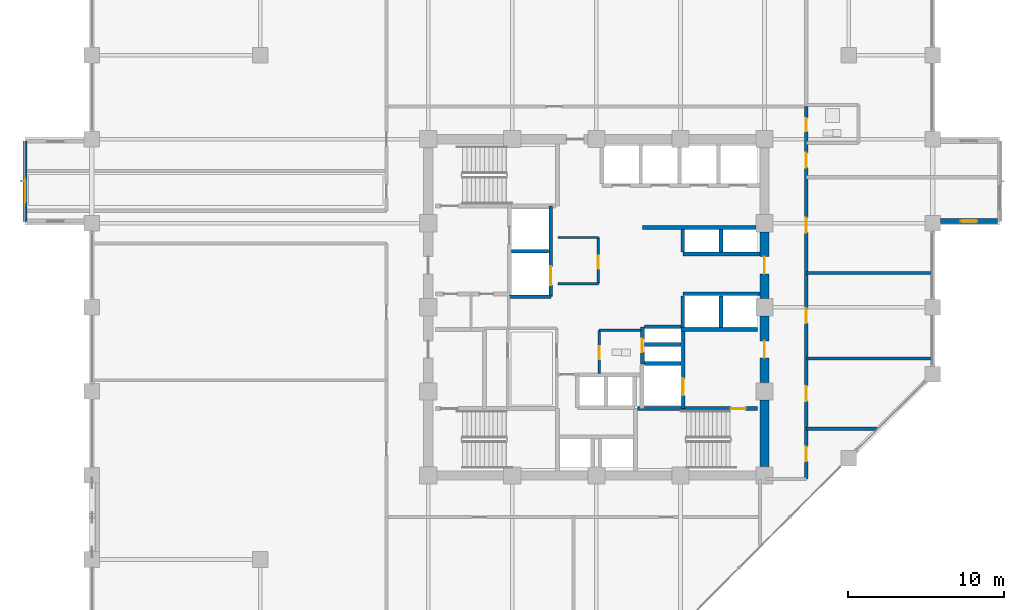
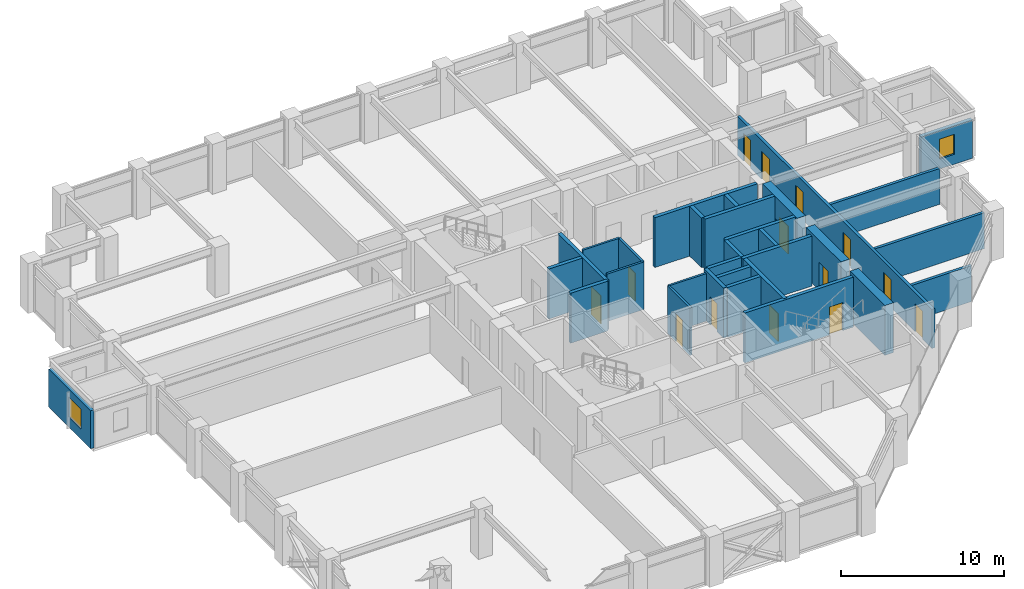
# One storey, part 23 of 29: 31 walls, 14 doors, 2 windows, 16 openings.
"""IFC4 building model written with IfcOpenShell, lengths in metres."""

from ifc_helpers import new_model, si_unit, direction, frame, frame_2d, origin, place, context, subcontext, project, spatial, rectangle, extrude, material, layer, layer_set, type_object, element, fill, save


model = new_model("IFC4")

# Units and contexts
model_context = context("Model", 3, precision=1e-05, world=origin(), true_north=direction((0.0, 1.0)))
body_context = subcontext(model_context, "Body", "Model", "MODEL_VIEW")
ifc_project = project(units=[si_unit("LENGTHUNIT", "METRE"), si_unit("AREAUNIT", "SQUARE_METRE"), si_unit("VOLUMEUNIT", "CUBIC_METRE"), si_unit("PLANEANGLEUNIT", "RADIAN"), si_unit("MASSUNIT", "GRAM", prefix="KILO")], contexts=[model_context])

# Site, building, storey
site_placement = place(None, origin())
site = spatial("IfcSite", under=ifc_project, at=site_placement, CompositionType="ELEMENT")
building_placement = place(site_placement, origin())
building = spatial("IfcBuilding", under=site, at=building_placement, Name="Surkhivell Harbour Commons", CompositionType="ELEMENT")
storey_placement = place(building_placement, frame((0.0, 0.0, 154.5)))
storey = spatial("IfcBuildingStorey", under=building, at=storey_placement, Name="L40", CompositionType="ELEMENT", Elevation=154.5)

# Wall
ifc_material_1 = material(Name="Concrete C60/75", Category="concrete")
ifc_layer_1 = layer(ifc_material_1, 0.60009765625)
ifc_layer_set_1 = layer_set([ifc_layer_1], Name="Concrete C60/75")
wall_type_1 = type_object("IfcWallType", Name="WAL-CORE-600", PredefinedType="SHEAR", material=ifc_layer_set_1)
wall_1_placement = place(storey_placement, frame((10.800048828125, -10.239990234375, 0.0), z_axis=(0.0, 0.0, 1.0), x_axis=(0.0, 1.0, 0.0)))
element("IfcWall", 1, at=wall_1_placement, inside=storey, type_object=wall_type_1, Name="L40 Core Shear Wall East 1", PredefinedType="SHEAR", context=body_context, shape_type="SweptSolid", body=[
    extrude(rectangle(XDim=4.280029296875, YDim=0.60009765625, at=frame_2d((2.14013671875, 0.0))), origin(), (0.0, 0.0, 1.0), 3.75),
])

# Wall, opening, door
wall_2_placement = place(storey_placement, frame((10.800048828125, -4.840087890625, 0.0), z_axis=(0.0, 0.0, 1.0), x_axis=(0.0, 1.0, 0.0)))
wall_2 = element("IfcWall", 2, at=wall_2_placement, inside=storey, type_object=wall_type_1, Name="L40 Core Shear Wall East 2", PredefinedType="SHEAR", context=body_context, shape_type="SweptSolid", body=[
    extrude(rectangle(XDim=4.280029296875, YDim=0.60009765625, at=frame_2d((2.14013671875, 0.0))), origin(), (0.0, 0.0, 1.0), 3.75),
])
opening_1_placement = place(wall_2_placement, frame((1.590087890625, 0.0, 0.0)))
opening_1 = element("IfcOpeningElement", 3, at=opening_1_placement, cuts=wall_2, Name="Opening ID-1", PredefinedType="OPENING", context=body_context, shape_type="SweptSolid", body=[
    extrude(rectangle(XDim=1.10009765625, YDim=2.10009765625, at=frame_2d((0.550048828125, 1.050048828125))), frame((0.0, 0.31005859375, 0.0), z_axis=(0.0, -1.0, 0.0), x_axis=(1.0, 0.0, 0.0)), (0.0, 0.0, 1.0), 0.6201171875),
])
ifc_material_2 = material(Name="Hardwood-veneered fire-rated door leaf", Category="wood")
door_type_1 = type_object("IfcDoorType", Name="DOR-FD120-1100", OperationType="NOTDEFINED", PredefinedType="DOOR", material=ifc_material_2)
door_1_placement = place(opening_1_placement, origin())
door_1 = element("IfcDoor", 4, at=door_1_placement, inside=storey, type_object=door_type_1, Name="L40 Firefighting Lobby 2 Corridor Door", OperationType="SINGLE_SWING_RIGHT", OverallHeight=2.10009765625, OverallWidth=1.10009765625, PredefinedType="DOOR", context=body_context, shape_type="SweptSolid", body=[
    extrude(rectangle(XDim=1.10009765625, YDim=2.10009765625, at=frame_2d((0.550048828125, 1.050048828125))), frame((0.0, 0.02490234375, 0.0), z_axis=(0.0, -1.0, 0.0), x_axis=(1.0, 0.0, 0.0)), (0.0, 0.0, 1.0), 0.050048828125),
])
fill(opening_1, door_1)

wall_3_placement = place(storey_placement, frame((10.800048828125, 0.56005859375, 0.0), z_axis=(0.0, 0.0, 1.0), x_axis=(0.0, 1.0, 0.0)))
wall_3 = element("IfcWall", 5, at=wall_3_placement, inside=storey, type_object=wall_type_1, Name="L40 Core Shear Wall East 3", PredefinedType="SHEAR", context=body_context, shape_type="SweptSolid", body=[
    extrude(rectangle(XDim=4.280029296875, YDim=0.60009765625, at=frame_2d((2.14013671875, 0.0))), origin(), (0.0, 0.0, 1.0), 3.75),
])
opening_2_placement = place(wall_3_placement, frame((1.590087890625, 0.0, 0.0)))
opening_2 = element("IfcOpeningElement", 6, at=opening_2_placement, cuts=wall_3, Name="Opening ID-2", PredefinedType="OPENING", context=body_context, shape_type="SweptSolid", body=[
    extrude(rectangle(XDim=1.10009765625, YDim=2.10009765625, at=frame_2d((0.550048828125, 1.050048828125))), frame((0.0, 0.31005859375, 0.0), z_axis=(0.0, -1.0, 0.0), x_axis=(1.0, 0.0, 0.0)), (0.0, 0.0, 1.0), 0.6201171875),
])
door_type_2 = type_object("IfcDoorType", Name="DOR-FD60-1100", OperationType="NOTDEFINED", PredefinedType="DOOR", material=ifc_material_2)
door_2_placement = place(opening_2_placement, origin())
door_2 = element("IfcDoor", 7, at=door_2_placement, inside=storey, type_object=door_type_2, Name="L40 Mid-Rise Lobby East Door", OperationType="SINGLE_SWING_LEFT", OverallHeight=2.10009765625, OverallWidth=1.10009765625, PredefinedType="DOOR", context=body_context, shape_type="SweptSolid", body=[
    extrude(rectangle(XDim=1.10009765625, YDim=2.10009765625, at=frame_2d((0.550048828125, 1.050048828125))), frame((0.0, 0.02490234375, 0.0), z_axis=(0.0, -1.0, 0.0), x_axis=(1.0, 0.0, 0.0)), (0.0, 0.0, 1.0), 0.050048828125),
])
fill(opening_2, door_2)

# Wall, opening, window
ifc_material_3 = material(Name="Flemish-bond kiln brick and precast concrete C45/55", Category="masonry")
ifc_layer_2 = layer(ifc_material_3, 0.300048828125)
ifc_layer_set_2 = layer_set([ifc_layer_2], Name="Flemish-bond kiln brick and precast concrete C45/55")
wall_type_2 = type_object("IfcWallType", Name="WAL-EXT-BRK300", PredefinedType="STANDARD", material=ifc_layer_set_2)
wall_4_placement = place(storey_placement, frame((22.10400390625, 5.5400390625, 0.0), z_axis=(0.0, 0.0, 1.0), x_axis=(1.0, 0.0, 0.0)))
wall_4 = element("IfcWall", 8, at=wall_4_placement, inside=storey, type_object=wall_type_2, Name="L40 Coloured Box Return Wall 01S", PredefinedType="STANDARD", context=body_context, shape_type="SweptSolid", body=[
    extrude(rectangle(XDim=3.656005859375, YDim=0.300048828125, at=frame_2d((1.828125, 0.0))), origin(), (0.0, 0.0, 1.0), 2.85693359375),
])
opening_3_placement = place(wall_4_placement, frame((1.302978515625, 0.0, 0.75)))
opening_3 = element("IfcOpeningElement", 9, at=opening_3_placement, cuts=wall_4, Name="Opening WN-11", PredefinedType="OPENING", context=body_context, shape_type="SweptSolid", body=[
    extrude(rectangle(XDim=1.050048828125, YDim=1.5, at=frame_2d((0.52490234375, 0.75))), frame((0.0, 0.159912109375, 0.0), z_axis=(0.0, -1.0, 0.0), x_axis=(1.0, 0.0, 0.0)), (0.0, 0.0, 1.0), 0.320068359375),
])
ifc_material_4 = material(Name="Thermal-break aluminium frame and double low-E glazing", Category="aluminium")
window_type_1 = type_object("IfcWindowType", Name="WIN-SER-1050x1500", PartitioningType="SINGLE_PANEL", PredefinedType="WINDOW", material=ifc_material_4)
window_1_placement = place(opening_3_placement, origin())
window_1 = element("IfcWindow", 10, at=window_1_placement, inside=storey, type_object=window_type_1, Name="L40 Coloured Box Return Window 01S", OverallHeight=1.5, OverallWidth=1.050048828125, PartitioningType="SINGLE_PANEL", PredefinedType="WINDOW", context=body_context, shape_type="SweptSolid", body=[
    extrude(rectangle(XDim=1.050048828125, YDim=1.5, at=frame_2d((0.52490234375, 0.75))), frame((0.0, 0.030029296875, 0.0), z_axis=(0.0, -1.0, 0.0), x_axis=(1.0, 0.0, 0.0)), (0.0, 0.0, 1.0), 0.06005859375),
])
fill(opening_3, window_1)

ifc_material_5 = material(Name="Bronze-ochre cassette precast concrete C45/55", Category="concrete")
ifc_layer_3 = layer(ifc_material_5, 0.239990234375)
ifc_layer_set_3 = layer_set([ifc_layer_3], Name="Bronze-ochre cassette precast concrete C45/55")
wall_type_3 = type_object("IfcWallType", Name="WAL-EXT-OCH240", PredefinedType="STANDARD", material=ifc_layer_set_3)
wall_5_placement = place(storey_placement, frame((-36.699951171875, 10.679931640625, 0.0), z_axis=(0.0, 0.0, 1.0), x_axis=(0.0, -1.0, 0.0)))
wall_5 = element("IfcWall", 11, at=wall_5_placement, inside=storey, type_object=wall_type_3, Name="L40 Coloured Box Front Wall 02", PredefinedType="STANDARD", context=body_context, shape_type="SweptSolid", body=[
    extrude(rectangle(XDim=5.159912109375, YDim=0.239990234375, at=frame_2d((2.580078125, 0.0))), origin(), (0.0, 0.0, 1.0), 2.85693359375),
])
opening_4_placement = place(wall_5_placement, frame((2.455078125, 0.0, 0.75)))
opening_4 = element("IfcOpeningElement", 12, at=opening_4_placement, cuts=wall_5, Name="Opening WN-13", PredefinedType="OPENING", context=body_context, shape_type="SweptSolid", body=[
    extrude(rectangle(XDim=1.5, YDim=1.5, at=frame_2d((0.75, 0.75))), frame((0.0, 0.1298828125, 0.0), z_axis=(0.0, -1.0, 0.0), x_axis=(1.0, 0.0, 0.0)), (0.0, 0.0, 1.0), 0.260009765625),
])
window_type_2 = type_object("IfcWindowType", Name="WIN-BOX-1500x1500", PartitioningType="SINGLE_PANEL", PredefinedType="WINDOW", material=ifc_material_4)
window_2_placement = place(opening_4_placement, origin())
window_2 = element("IfcWindow", 13, at=window_2_placement, inside=storey, type_object=window_type_2, Name="L40 Coloured Box Square Window 02-1", OverallHeight=1.5, OverallWidth=1.5, PartitioningType="SINGLE_PANEL", PredefinedType="WINDOW", context=body_context, shape_type="SweptSolid", body=[
    extrude(rectangle(XDim=1.5, YDim=1.5, at=frame_2d((0.75, 0.75))), frame((0.0, 0.030029296875, 0.0), z_axis=(0.0, -1.0, 0.0), x_axis=(1.0, 0.0, 0.0)), (0.0, 0.0, 1.0), 0.06005859375),
])
fill(opening_4, window_2)

# Wall
ifc_material_6 = material(Name="Twin-stud acoustic fireboard partition", Category="other")
ifc_layer_4 = layer(ifc_material_6, 0.14990234375)
ifc_layer_set_4 = layer_set([ifc_layer_4], Name="Twin-stud acoustic fireboard partition")
wall_type_4 = type_object("IfcWallType", Name="WAL-INT-150", PredefinedType="PARTITIONING", material=ifc_layer_set_4)
wall_6_placement = place(storey_placement, frame((0.179931640625, -1.47998046875, 0.0), z_axis=(0.0, 0.0, 1.0), x_axis=(1.0, 0.0, 0.0)))
element("IfcWall", 14, at=wall_6_placement, inside=storey, type_object=wall_type_4, Name="L40 Core Accessible WC North Wall", PredefinedType="PARTITIONING", context=body_context, shape_type="SweptSolid", body=[
    extrude(rectangle(XDim=2.670166015625, YDim=0.14990234375, at=frame_2d((1.3349609375, 0.0))), origin(), (0.0, 0.0, 1.0), 3.570068359375),
])

# Wall, opening, door
wall_7_placement = place(storey_placement, frame((0.179931640625, -4.25, 0.0), z_axis=(0.0, 0.0, 1.0), x_axis=(0.0, 1.0, 0.0)))
wall_7 = element("IfcWall", 15, at=wall_7_placement, inside=storey, type_object=wall_type_4, Name="L40 Core Accessible WC West Wall", PredefinedType="PARTITIONING", context=body_context, shape_type="SweptSolid", body=[
    extrude(rectangle(XDim=2.77001953125, YDim=0.14990234375, at=frame_2d((1.385009765625, 0.0))), origin(), (0.0, 0.0, 1.0), 3.570068359375),
])
opening_5_placement = place(wall_7_placement, frame((0.89990234375, 0.0, 0.0)))
opening_5 = element("IfcOpeningElement", 16, at=opening_5_placement, cuts=wall_7, Name="Opening ID-6", PredefinedType="OPENING", context=body_context, shape_type="SweptSolid", body=[
    extrude(rectangle(XDim=0.85009765625, YDim=2.10009765625, at=frame_2d((0.425048828125, 1.050048828125))), frame((0.0, 0.0849609375, 0.0), z_axis=(0.0, -1.0, 0.0), x_axis=(1.0, 0.0, 0.0)), (0.0, 0.0, 1.0), 0.169921875),
])
door_type_3 = type_object("IfcDoorType", Name="DOR-FD30-850", OperationType="NOTDEFINED", PredefinedType="DOOR", material=ifc_material_2)
door_3_placement = place(opening_5_placement, origin())
door_3 = element("IfcDoor", 17, at=door_3_placement, inside=storey, type_object=door_type_3, Name="L40 Floor Accessible WC Door", OperationType="SINGLE_SWING_LEFT", OverallHeight=2.10009765625, OverallWidth=0.85009765625, PredefinedType="DOOR", context=body_context, shape_type="SweptSolid", body=[
    extrude(rectangle(XDim=0.85009765625, YDim=2.10009765625, at=frame_2d((0.425048828125, 1.050048828125))), frame((0.0, 0.02490234375, 0.0), z_axis=(0.0, -1.0, 0.0), x_axis=(1.0, 0.0, 0.0)), (0.0, 0.0, 1.0), 0.050048828125),
])
fill(opening_5, door_3)

wall_8_placement = place(storey_placement, frame((0.1201171875, 1.52001953125, 0.0), z_axis=(0.0, 0.0, 1.0), x_axis=(0.0, 1.0, 0.0)))
wall_8 = element("IfcWall", 18, at=wall_8_placement, inside=storey, type_object=wall_type_4, Name="L40 Central Reading East Wall", PredefinedType="PARTITIONING", context=body_context, shape_type="SweptSolid", body=[
    extrude(rectangle(XDim=2.9599609375, YDim=0.14990234375, at=frame_2d((1.47998046875, 0.0))), origin(), (0.0, 0.0, 1.0), 3.570068359375),
])
opening_6_placement = place(wall_8_placement, frame((0.949951171875, 0.0, 0.0)))
opening_6 = element("IfcOpeningElement", 19, at=opening_6_placement, cuts=wall_8, Name="Opening ID-6", PredefinedType="OPENING", context=body_context, shape_type="SweptSolid", body=[
    extrude(rectangle(XDim=0.85009765625, YDim=2.10009765625, at=frame_2d((0.425048828125, 1.050048828125))), frame((0.0, 0.0849609375, 0.0), z_axis=(0.0, -1.0, 0.0), x_axis=(1.0, 0.0, 0.0)), (0.0, 0.0, 1.0), 0.169921875),
])
door_4_placement = place(opening_6_placement, origin())
door_4 = element("IfcDoor", 20, at=door_4_placement, inside=storey, type_object=door_type_3, Name="L40 Central Core Reading Door", OperationType="SINGLE_SWING_RIGHT", OverallHeight=2.10009765625, OverallWidth=0.85009765625, PredefinedType="DOOR", context=body_context, shape_type="SweptSolid", body=[
    extrude(rectangle(XDim=0.85009765625, YDim=2.10009765625, at=frame_2d((0.425048828125, 1.050048828125))), frame((0.0, 0.02490234375, 0.0), z_axis=(0.0, -1.0, 0.0), x_axis=(1.0, 0.0, 0.0)), (0.0, 0.0, 1.0), 0.050048828125),
])
fill(opening_6, door_4)

# Walls
for number, where, z_axis, x_axis, name in (
    (21, (-2.47998046875, 4.47998046875, 0.0), (0.0, 0.0, 1.0), (1.0, 0.0, 0.0), "L40 Central Reading North Wall"),
    (22, (-2.47998046875, 1.52001953125, 0.0), (0.0, 0.0, 1.0), (1.0, 0.0, 0.0), "L40 Central Reading South Wall"),
):
    element("IfcWall", number, at=place(storey_placement, frame(where, z_axis=z_axis, x_axis=x_axis)), inside=storey, type_object=wall_type_4, Name=name, PredefinedType="PARTITIONING", context=body_context, shape_type="SweptSolid", body=[
        extrude(rectangle(XDim=2.60009765625, YDim=0.14990234375, at=frame_2d((1.300048828125, 0.0))), origin(), (0.0, 0.0, 1.0), 3.570068359375),
    ])

# Wall, openings, doors
ifc_material_7 = material(Name="Autoclaved aerated concrete blockwork and fire plaster", Category="masonry")
ifc_layer_5 = layer(ifc_material_7, 0.199951171875)
ifc_layer_set_5 = layer_set([ifc_layer_5], Name="Autoclaved aerated concrete blockwork and fire plaster")
wall_type_5 = type_object("IfcWallType", Name="WAL-INT-200", PredefinedType="PARTITIONING", material=ifc_layer_set_5)
wall_9_placement = place(storey_placement, frame((13.47998046875, -11.0400390625, 0.0), z_axis=(0.0, 0.0, 1.0), x_axis=(0.0, 1.0, 0.0)))
wall_9 = element("IfcWall", 23, at=wall_9_placement, inside=storey, type_object=wall_type_5, Name="L40 Corridor East Wall", PredefinedType="PARTITIONING", context=body_context, shape_type="SweptSolid", body=[
    extrude(rectangle(XDim=23.93994140625, YDim=0.199951171875, at=frame_2d((11.969970703125, 0.0))), origin(), (0.0, 0.0, 1.0), 2.93310546875),
])
opening_7_placement = place(wall_9_placement, frame((1.139892578125, 0.0, 0.0)))
opening_7 = element("IfcOpeningElement", 24, at=opening_7_placement, cuts=wall_9, Name="Opening ID-4", PredefinedType="OPENING", context=body_context, shape_type="SweptSolid", body=[
    extrude(rectangle(XDim=0.949951171875, YDim=2.10009765625, at=frame_2d((0.47509765625, 1.050048828125))), frame((0.0, 0.10986328125, 0.0), z_axis=(0.0, -1.0, 0.0), x_axis=(1.0, 0.0, 0.0)), (0.0, 0.0, 1.0), 0.219970703125),
])
opening_8_placement = place(wall_9_placement, frame((22.344970703125, 0.0, 0.0)))
opening_8 = element("IfcOpeningElement", 25, at=opening_8_placement, cuts=wall_9, Name="Opening ID-6", PredefinedType="OPENING", context=body_context, shape_type="SweptSolid", body=[
    extrude(rectangle(XDim=0.85009765625, YDim=2.10009765625, at=frame_2d((0.425048828125, 1.050048828125))), frame((0.0, 0.10986328125, 0.0), z_axis=(0.0, -1.0, 0.0), x_axis=(1.0, 0.0, 0.0)), (0.0, 0.0, 1.0), 0.219970703125),
])
opening_9_placement = place(wall_9_placement, frame((20.010009765625, 0.0, 0.0)))
opening_9 = element("IfcOpeningElement", 26, at=opening_9_placement, cuts=wall_9, Name="Opening ID-4", PredefinedType="OPENING", context=body_context, shape_type="SweptSolid", body=[
    extrude(rectangle(XDim=0.949951171875, YDim=2.10009765625, at=frame_2d((0.47509765625, 1.050048828125))), frame((0.0, 0.10986328125, 0.0), z_axis=(0.0, -1.0, 0.0), x_axis=(1.0, 0.0, 0.0)), (0.0, 0.0, 1.0), 0.219970703125),
])
opening_10_placement = place(wall_9_placement, frame((5.02001953125, 0.0, 0.0)))
opening_10 = element("IfcOpeningElement", 27, at=opening_10_placement, cuts=wall_9, Name="Opening ID-4", PredefinedType="OPENING", context=body_context, shape_type="SweptSolid", body=[
    extrude(rectangle(XDim=0.949951171875, YDim=2.10009765625, at=frame_2d((0.47509765625, 1.050048828125))), frame((0.0, 0.10986328125, 0.0), z_axis=(0.0, -1.0, 0.0), x_axis=(1.0, 0.0, 0.0)), (0.0, 0.0, 1.0), 0.219970703125),
])
opening_11_placement = place(wall_9_placement, frame((10.02490234375, 0.0, 0.0)))
opening_11 = element("IfcOpeningElement", 28, at=opening_11_placement, cuts=wall_9, Name="Opening ID-4", PredefinedType="OPENING", context=body_context, shape_type="SweptSolid", body=[
    extrude(rectangle(XDim=0.949951171875, YDim=2.10009765625, at=frame_2d((0.47509765625, 1.050048828125))), frame((0.0, 0.10986328125, 0.0), z_axis=(0.0, -1.0, 0.0), x_axis=(1.0, 0.0, 0.0)), (0.0, 0.0, 1.0), 0.219970703125),
])
opening_12_placement = place(wall_9_placement, frame((15.840087890625, 0.0, 0.0)))
opening_12 = element("IfcOpeningElement", 29, at=opening_12_placement, cuts=wall_9, Name="Opening ID-4", PredefinedType="OPENING", context=body_context, shape_type="SweptSolid", body=[
    extrude(rectangle(XDim=0.949951171875, YDim=2.10009765625, at=frame_2d((0.47509765625, 1.050048828125))), frame((0.0, 0.10986328125, 0.0), z_axis=(0.0, -1.0, 0.0), x_axis=(1.0, 0.0, 0.0)), (0.0, 0.0, 1.0), 0.219970703125),
])
door_5_placement = place(opening_8_placement, origin())
door_5 = element("IfcDoor", 30, at=door_5_placement, inside=storey, type_object=door_type_3, Name="L40 Communal Shower Bathroom East Door", OperationType="SINGLE_SWING_LEFT", OverallHeight=2.10009765625, OverallWidth=0.85009765625, PredefinedType="DOOR", context=body_context, shape_type="SweptSolid", body=[
    extrude(rectangle(XDim=0.85009765625, YDim=2.10009765625, at=frame_2d((0.425048828125, 1.050048828125))), frame((0.0, 0.02490234375, 0.0), z_axis=(0.0, -1.0, 0.0), x_axis=(1.0, 0.0, 0.0)), (0.0, 0.0, 1.0), 0.050048828125),
])
fill(opening_8, door_5)
door_type_4 = type_object("IfcDoorType", Name="DOR-FD60-950", OperationType="NOTDEFINED", PredefinedType="DOOR", material=ifc_material_2)
door_6_placement = place(opening_7_placement, origin())
door_6 = element("IfcDoor", 31, at=door_6_placement, inside=storey, type_object=door_type_4, Name="L40 Shared Communal Kitchen East Door", OperationType="SINGLE_SWING_RIGHT", OverallHeight=2.10009765625, OverallWidth=0.949951171875, PredefinedType="DOOR", context=body_context, shape_type="SweptSolid", body=[
    extrude(rectangle(XDim=0.949951171875, YDim=2.10009765625, at=frame_2d((0.47509765625, 1.050048828125))), frame((0.0, 0.02490234375, 0.0), z_axis=(0.0, -1.0, 0.0), x_axis=(1.0, 0.0, 0.0)), (0.0, 0.0, 1.0), 0.050048828125),
])
fill(opening_7, door_6)
door_7_placement = place(opening_9_placement, origin())
door_7 = element("IfcDoor", 32, at=door_7_placement, inside=storey, type_object=door_type_4, Name="L40 Academic Reading Commons East Door", OperationType="SINGLE_SWING_RIGHT", OverallHeight=2.10009765625, OverallWidth=0.949951171875, PredefinedType="DOOR", context=body_context, shape_type="SweptSolid", body=[
    extrude(rectangle(XDim=0.949951171875, YDim=2.10009765625, at=frame_2d((0.47509765625, 1.050048828125))), frame((0.0, 0.02490234375, 0.0), z_axis=(0.0, -1.0, 0.0), x_axis=(1.0, 0.0, 0.0)), (0.0, 0.0, 1.0), 0.050048828125),
])
fill(opening_9, door_7)
door_8_placement = place(opening_10_placement, origin())
door_8 = element("IfcDoor", 33, at=door_8_placement, inside=storey, type_object=door_type_4, Name="L40 Hostel Cluster Bedroom 1 East Door", OperationType="SINGLE_SWING_LEFT", OverallHeight=2.10009765625, OverallWidth=0.949951171875, PredefinedType="DOOR", context=body_context, shape_type="SweptSolid", body=[
    extrude(rectangle(XDim=0.949951171875, YDim=2.10009765625, at=frame_2d((0.47509765625, 1.050048828125))), frame((0.0, 0.02490234375, 0.0), z_axis=(0.0, -1.0, 0.0), x_axis=(1.0, 0.0, 0.0)), (0.0, 0.0, 1.0), 0.050048828125),
])
fill(opening_10, door_8)
door_9_placement = place(opening_11_placement, origin())
door_9 = element("IfcDoor", 34, at=door_9_placement, inside=storey, type_object=door_type_4, Name="L40 Co-Living Dormitory Bedroom 2 East Door", OperationType="SINGLE_SWING_RIGHT", OverallHeight=2.10009765625, OverallWidth=0.949951171875, PredefinedType="DOOR", context=body_context, shape_type="SweptSolid", body=[
    extrude(rectangle(XDim=0.949951171875, YDim=2.10009765625, at=frame_2d((0.47509765625, 1.050048828125))), frame((0.0, 0.02490234375, 0.0), z_axis=(0.0, -1.0, 0.0), x_axis=(1.0, 0.0, 0.0)), (0.0, 0.0, 1.0), 0.050048828125),
])
fill(opening_11, door_9)
door_10_placement = place(opening_12_placement, origin())
door_10 = element("IfcDoor", 35, at=door_10_placement, inside=storey, type_object=door_type_4, Name="L40 Hostel Cluster Bedroom 3 East Door", OperationType="SINGLE_SWING_LEFT", OverallHeight=2.10009765625, OverallWidth=0.949951171875, PredefinedType="DOOR", context=body_context, shape_type="SweptSolid", body=[
    extrude(rectangle(XDim=0.949951171875, YDim=2.10009765625, at=frame_2d((0.47509765625, 1.050048828125))), frame((0.0, 0.02490234375, 0.0), z_axis=(0.0, -1.0, 0.0), x_axis=(1.0, 0.0, 0.0)), (0.0, 0.0, 1.0), 0.050048828125),
])
fill(opening_12, door_10)

# Walls
for number, where, z_axis, x_axis, name in (
    (36, (13.47998046875, -3.280029296875, 0.0), (0.0, 0.0, 1.0), (1.0, 0.0, 0.0), "L40 East Partition BDP1"),
    (37, (13.47998046875, 2.2099609375, 0.0), (0.0, 0.0, 1.0), (1.0, 0.0, 0.0), "L40 East Partition BDP2"),
):
    element("IfcWall", number, at=place(storey_placement, frame(where, z_axis=z_axis, x_axis=x_axis)), inside=storey, type_object=wall_type_5, Name=name, PredefinedType="PARTITIONING", context=body_context, shape_type="SweptSolid", body=[
        extrude(rectangle(XDim=8.06005859375, YDim=0.199951171875, at=frame_2d((4.030029296875, 0.0))), origin(), (0.0, 0.0, 1.0), 2.698974609375),
    ])
wall_10_placement = place(storey_placement, frame((13.47998046875, -7.800048828125, 0.0), z_axis=(0.0, 0.0, 1.0), x_axis=(1.0, 0.0, 0.0)))
element("IfcWall", 38, at=wall_10_placement, inside=storey, type_object=wall_type_5, Name="L40 East Partition PBOT", PredefinedType="PARTITIONING", context=body_context, shape_type="SweptSolid", body=[
    extrude(rectangle(XDim=4.53515625, YDim=0.199951171875, at=frame_2d((2.267578125, 0.0))), origin(), (0.0, 0.0, 1.0), 2.698974609375),
])
ifc_material_8 = material(Name="Concrete C50/60", Category="concrete")
ifc_layer_6 = layer(ifc_material_8, 0.25)
ifc_layer_set_6 = layer_set([ifc_layer_6], Name="Concrete C50/60")
wall_type_6 = type_object("IfcWallType", Name="WAL-SHAFT-250", PredefinedType="SHEAR", material=ifc_layer_set_6)
wall_11_placement = place(storey_placement, frame((5.43994140625, -1.419921875, 0.0), z_axis=(0.0, 0.0, 1.0), x_axis=(1.0, 0.0, 0.0)))
element("IfcWall", 39, at=wall_11_placement, inside=storey, type_object=wall_type_6, Name="L40 Firefighting Lobby 2 North Wall", PredefinedType="SHEAR", context=body_context, shape_type="SweptSolid", body=[
    extrude(rectangle(XDim=4.900146484375, YDim=0.25, at=frame_2d((2.4501953125, 0.0))), origin(), (0.0, 0.0, 1.0), 3.75),
])
wall_12_placement = place(storey_placement, frame((3.080078125, -3.60009765625, 0.0), z_axis=(0.0, 0.0, 1.0), x_axis=(1.0, 0.0, 0.0)))
element("IfcWall", 40, at=wall_12_placement, inside=storey, type_object=wall_type_6, Name="L40 FFL2 North Shaft Wall", PredefinedType="SHEAR", context=body_context, shape_type="SweptSolid", body=[
    extrude(rectangle(XDim=2.369873046875, YDim=0.25, at=frame_2d((1.18505859375, 0.0))), origin(), (0.0, 0.0, 1.0), 3.75),
])

# Wall, opening, door
wall_13_placement = place(storey_placement, frame((5.580078125, -6.510009765625, 0.0), z_axis=(0.0, 0.0, 1.0), x_axis=(0.0, 1.0, 0.0)))
wall_13 = element("IfcWall", 41, at=wall_13_placement, inside=storey, type_object=wall_type_6, Name="L40 Firefighting Lobby 2 West Shaft Wall", PredefinedType="SHEAR", context=body_context, shape_type="SweptSolid", body=[
    extrude(rectangle(XDim=5.090087890625, YDim=0.25, at=frame_2d((2.544921875, 0.0))), origin(), (0.0, 0.0, 1.0), 3.75),
])
opening_13_placement = place(wall_13_placement, frame((0.85009765625, 0.0, 0.0)))
opening_13 = element("IfcOpeningElement", 42, at=opening_13_placement, cuts=wall_13, Name="Opening LD-1", PredefinedType="OPENING", context=body_context, shape_type="SweptSolid", body=[
    extrude(rectangle(XDim=1.10009765625, YDim=2.10009765625, at=frame_2d((0.550048828125, 1.050048828125))), frame((0.0, 0.135009765625, 0.0), z_axis=(0.0, -1.0, 0.0), x_axis=(1.0, 0.0, 0.0)), (0.0, 0.0, 1.0), 0.27001953125),
])
ifc_material_9 = material(Name="Brushed stainless steel S355", Category="steel")
door_type_5 = type_object("IfcDoorType", Name="DOR-LD-1100", OperationType="SLIDING_TO_LEFT", PredefinedType="DOOR", material=ifc_material_9)
door_11_placement = place(opening_13_placement, origin())
door_11 = element("IfcDoor", 43, at=door_11_placement, inside=storey, type_object=door_type_5, Name="L40 Lift Landing Door LD-FFL2", OperationType="SLIDING_TO_RIGHT", OverallHeight=2.10009765625, OverallWidth=1.10009765625, PredefinedType="DOOR", context=body_context, shape_type="SweptSolid", body=[
    extrude(rectangle(XDim=1.10009765625, YDim=2.10009765625, at=frame_2d((0.550048828125, 1.050048828125))), frame((0.0, 0.02490234375, 0.0), z_axis=(0.0, -1.0, 0.0), x_axis=(1.0, 0.0, 0.0)), (0.0, 0.0, 1.0), 0.050048828125),
])
fill(opening_13, door_11)

# Walls
wall_14_placement = place(storey_placement, frame((2.949951171875, 5.1201171875, 0.0), z_axis=(0.0, 0.0, 1.0), x_axis=(1.0, 0.0, 0.0)))
element("IfcWall", 44, at=wall_14_placement, inside=storey, type_object=wall_type_6, Name="L40 Low-Rise Lobby South Wall", PredefinedType="SHEAR", context=body_context, shape_type="SweptSolid", body=[
    extrude(rectangle(XDim=7.300048828125, YDim=0.25, at=frame_2d((3.64990234375, 0.0))), origin(), (0.0, 0.0, 1.0), 3.75),
])
for number, where, z_axis, x_axis, name in (
    (45, (5.550048828125, 3.550048828125, 0.0), (0.0, 0.0, 1.0), (0.0, 1.0, 0.0), "L40 Mid-Rise Shaft Side Wall N"),
    (46, (8.0, 3.550048828125, 0.0), (0.0, 0.0, 1.0), (0.0, 1.0, 0.0), "L40 Mid-Rise Shaft Side Wall N"),
):
    element("IfcWall", number, at=place(storey_placement, frame(where, z_axis=z_axis, x_axis=x_axis)), inside=storey, type_object=wall_type_6, Name=name, PredefinedType="SHEAR", context=body_context, shape_type="SweptSolid", body=[
        extrude(rectangle(XDim=1.449951171875, YDim=0.25, at=frame_2d((0.72509765625, 0.0))), origin(), (0.0, 0.0, 1.0), 3.75),
    ])
for number, where, z_axis, x_axis, name in (
    (47, (5.550048828125, -1.300048828125, 0.0), (0.0, 0.0, 1.0), (0.0, 1.0, 0.0), "L40 Mid-Rise Shaft Side Wall S"),
    (48, (8.0, -1.300048828125, 0.0), (0.0, 0.0, 1.0), (0.0, 1.0, 0.0), "L40 Mid-Rise Shaft Side Wall S"),
):
    element("IfcWall", number, at=place(storey_placement, frame(where, z_axis=z_axis, x_axis=x_axis)), inside=storey, type_object=wall_type_6, Name=name, PredefinedType="SHEAR", context=body_context, shape_type="SweptSolid", body=[
        extrude(rectangle(XDim=2.0400390625, YDim=0.25, at=frame_2d((1.02001953125, 0.0))), origin(), (0.0, 0.0, 1.0), 3.75),
    ])
for number, where, z_axis, x_axis, name in (
    (49, (5.550048828125, 3.429931640625, 0.0), (0.0, 0.0, 1.0), (1.0, 0.0, 0.0), "L40 Mid-Rise North Front Shaft Wall"),
    (50, (5.550048828125, 0.8701171875, 0.0), (0.0, 0.0, 1.0), (1.0, 0.0, 0.0), "L40 Mid-Rise South Front Shaft Wall"),
):
    element("IfcWall", number, at=place(storey_placement, frame(where, z_axis=z_axis, x_axis=x_axis)), inside=storey, type_object=wall_type_6, Name=name, PredefinedType="SHEAR", context=body_context, shape_type="SweptSolid", body=[
        extrude(rectangle(XDim=4.949951171875, YDim=0.25, at=frame_2d((2.47509765625, 0.0))), origin(), (0.0, 0.0, 1.0), 3.75),
    ])
for number, where, z_axis, x_axis, name in (
    (51, (3.080078125, -2.3798828125, 0.0), (0.0, 0.0, 1.0), (1.0, 0.0, 0.0), "L40 Riser Divider Wall"),
    (52, (3.080078125, -1.25, 0.0), (0.0, 0.0, 1.0), (1.0, 0.0, 0.0), "L40 Riser North Wall"),
):
    element("IfcWall", number, at=place(storey_placement, frame(where, z_axis=z_axis, x_axis=x_axis)), inside=storey, type_object=wall_type_6, Name=name, PredefinedType="SHEAR", context=body_context, shape_type="SweptSolid", body=[
        extrude(rectangle(XDim=2.369873046875, YDim=0.25, at=frame_2d((1.18505859375, 0.0))), origin(), (0.0, 0.0, 1.0), 3.75),
    ])

# Wall, opening, door
wall_15_placement = place(storey_placement, frame((2.949951171875, -3.64990234375, 0.0), z_axis=(0.0, 0.0, 1.0), x_axis=(0.0, 1.0, 0.0)))
wall_15 = element("IfcWall", 53, at=wall_15_placement, inside=storey, type_object=wall_type_6, Name="L40 Riser Shaft West Wall", PredefinedType="SHEAR", context=body_context, shape_type="SweptSolid", body=[
    extrude(rectangle(XDim=2.39990234375, YDim=0.25, at=frame_2d((1.199951171875, 0.0))), origin(), (0.0, 0.0, 1.0), 3.75),
])
opening_14_placement = place(wall_15_placement, frame((0.77490234375, 0.0, 0.0)))
opening_14 = element("IfcOpeningElement", 54, at=opening_14_placement, cuts=wall_15, Name="Opening ID-6", PredefinedType="OPENING", context=body_context, shape_type="SweptSolid", body=[
    extrude(rectangle(XDim=0.85009765625, YDim=2.10009765625, at=frame_2d((0.425048828125, 1.050048828125))), frame((0.0, 0.135009765625, 0.0), z_axis=(0.0, -1.0, 0.0), x_axis=(1.0, 0.0, 0.0)), (0.0, 0.0, 1.0), 0.27001953125),
])
door_12_placement = place(opening_14_placement, origin())
door_12 = element("IfcDoor", 55, at=door_12_placement, inside=storey, type_object=door_type_3, Name="L40 Electrical Riser Access Door", OperationType="SINGLE_SWING_LEFT", OverallHeight=2.10009765625, OverallWidth=0.85009765625, PredefinedType="DOOR", context=body_context, shape_type="SweptSolid", body=[
    extrude(rectangle(XDim=0.85009765625, YDim=2.10009765625, at=frame_2d((0.425048828125, 1.050048828125))), frame((0.0, 0.02490234375, 0.0), z_axis=(0.0, -1.0, 0.0), x_axis=(1.0, 0.0, 0.0)), (0.0, 0.0, 1.0), 0.050048828125),
])
fill(opening_14, door_12)

wall_16_placement = place(storey_placement, frame((2.639892578125, -6.510009765625, 0.0), z_axis=(0.0, 0.0, 1.0), x_axis=(1.0, 0.0, 0.0)))
wall_16 = element("IfcWall", 56, at=wall_16_placement, inside=storey, type_object=wall_type_6, Name="L40 Stair ST2 North Shear Wall", PredefinedType="SHEAR", context=body_context, shape_type="SweptSolid", body=[
    extrude(rectangle(XDim=7.7001953125, YDim=0.25, at=frame_2d((3.85009765625, 0.0))), origin(), (0.0, 0.0, 1.0), 3.75),
])
opening_15_placement = place(wall_16_placement, frame((6.0, 0.0, 0.0)))
opening_15 = element("IfcOpeningElement", 57, at=opening_15_placement, cuts=wall_16, Name="Opening ID-4", PredefinedType="OPENING", context=body_context, shape_type="SweptSolid", body=[
    extrude(rectangle(XDim=0.949951171875, YDim=2.10009765625, at=frame_2d((0.47509765625, 1.050048828125))), frame((0.0, 0.135009765625, 0.0), z_axis=(0.0, -1.0, 0.0), x_axis=(1.0, 0.0, 0.0)), (0.0, 0.0, 1.0), 0.27001953125),
])
door_13_placement = place(opening_15_placement, origin())
door_13 = element("IfcDoor", 58, at=door_13_placement, inside=storey, type_object=door_type_4, Name="L40 Stair ST2 Exit Door", OperationType="SINGLE_SWING_RIGHT", OverallHeight=2.10009765625, OverallWidth=0.949951171875, PredefinedType="DOOR", context=body_context, shape_type="SweptSolid", body=[
    extrude(rectangle(XDim=0.949951171875, YDim=2.10009765625, at=frame_2d((0.47509765625, 1.050048828125))), frame((0.0, 0.02490234375, 0.0), z_axis=(0.0, -1.0, 0.0), x_axis=(1.0, 0.0, 0.0)), (0.0, 0.0, 1.0), 0.050048828125),
])
fill(opening_15, door_13)

wall_17_placement = place(storey_placement, frame((-2.929931640625, 0.679931640625, 0.0), z_axis=(0.0, 0.0, 1.0), x_axis=(0.0, 1.0, 0.0)))
wall_17 = element("IfcWall", 59, at=wall_17_placement, inside=storey, type_object=wall_type_6, Name="L40 Service and Fire Lift East Shaft Wall", PredefinedType="SHEAR", context=body_context, shape_type="SweptSolid", body=[
    extrude(rectangle(XDim=5.830078125, YDim=0.25, at=frame_2d((2.9150390625, 0.0))), origin(), (0.0, 0.0, 1.0), 3.75),
])
opening_16_placement = place(wall_17_placement, frame((0.75, 0.0, 0.0)))
opening_16 = element("IfcOpeningElement", 60, at=opening_16_placement, cuts=wall_17, Name="Opening LD-2", PredefinedType="OPENING", context=body_context, shape_type="SweptSolid", body=[
    extrude(rectangle(XDim=1.199951171875, YDim=2.10009765625, at=frame_2d((0.60009765625, 1.050048828125))), frame((0.0, 0.135009765625, 0.0), z_axis=(0.0, -1.0, 0.0), x_axis=(1.0, 0.0, 0.0)), (0.0, 0.0, 1.0), 0.27001953125),
])
door_type_6 = type_object("IfcDoorType", Name="DOR-LD-1200", OperationType="SLIDING_TO_LEFT", PredefinedType="DOOR", material=ifc_material_9)
door_14_placement = place(opening_16_placement, origin())
door_14 = element("IfcDoor", 61, at=door_14_placement, inside=storey, type_object=door_type_6, Name="L40 Lift Landing Door LD-SVL1", OperationType="SLIDING_TO_LEFT", OverallHeight=2.10009765625, OverallWidth=1.199951171875, PredefinedType="DOOR", context=body_context, shape_type="SweptSolid", body=[
    extrude(rectangle(XDim=1.199951171875, YDim=2.10009765625, at=frame_2d((0.60009765625, 1.050048828125))), frame((0.0, 0.02490234375, 0.0), z_axis=(0.0, -1.0, 0.0), x_axis=(1.0, 0.0, 0.0)), (0.0, 0.0, 1.0), 0.050048828125),
])
fill(opening_16, door_14)

# Walls
wall_18_placement = place(storey_placement, frame((-5.449951171875, 3.60009765625, 0.0), z_axis=(0.0, 0.0, 1.0), x_axis=(1.0, 0.0, 0.0)))
element("IfcWall", 62, at=wall_18_placement, inside=storey, type_object=wall_type_6, Name="L40 FFL1/SVL1 Shaft Divider", PredefinedType="SHEAR", context=body_context, shape_type="SweptSolid", body=[
    extrude(rectangle(XDim=2.389892578125, YDim=0.25, at=frame_2d((1.19482421875, 0.0))), origin(), (0.0, 0.0, 1.0), 3.75),
])
wall_19_placement = place(storey_placement, frame((-5.580078125, 0.679931640625, 0.0), z_axis=(0.0, 0.0, 1.0), x_axis=(1.0, 0.0, 0.0)))
element("IfcWall", 63, at=wall_19_placement, inside=storey, type_object=wall_type_6, Name="L40 SVL1 South Shaft Wall", PredefinedType="SHEAR", context=body_context, shape_type="SweptSolid", body=[
    extrude(rectangle(XDim=2.650146484375, YDim=0.25, at=frame_2d((1.3251953125, 0.0))), origin(), (0.0, 0.0, 1.0), 3.75),
])

save(model, "model.ifc")
